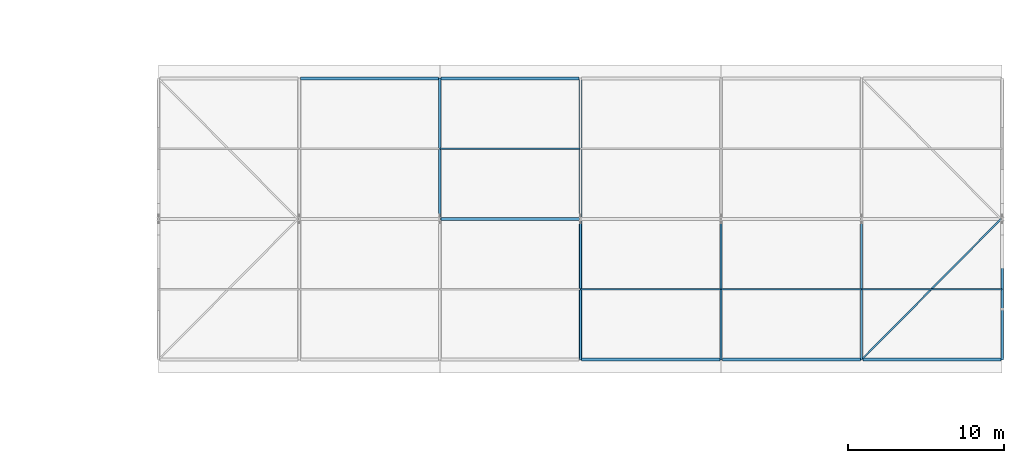
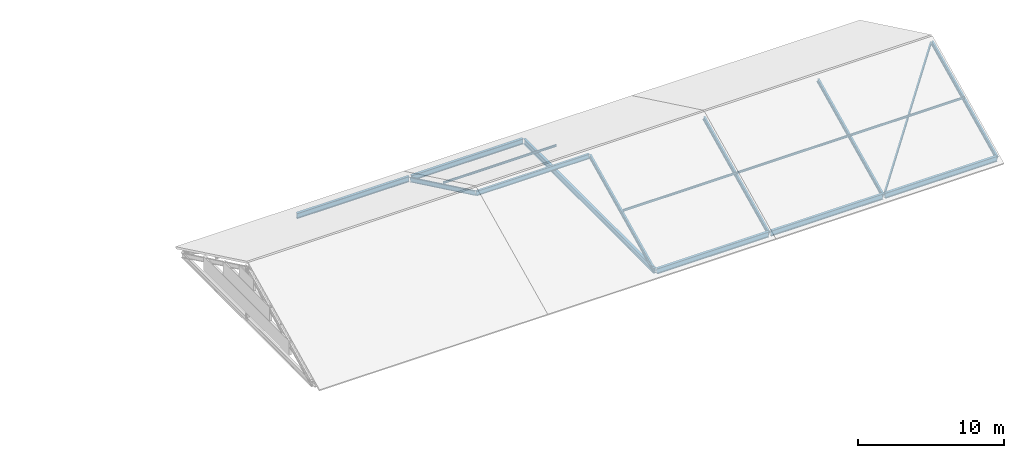
# One storey, part 12 of 25: 11 members, 6 beams.
"""IFC4 building model written with IfcOpenShell, lengths in metres."""

import ifcopenshell
import ifcopenshell.guid

model = None  # the IFC model being written
_history = None  # IfcOwnerHistory: only IFC2X3 demands one
_inside = {}  # id of a spatial element -> (the spatial element, [elements in it])
_under = {}  # id of a project, library or spatial element -> (it, [spatial elements below it])
_declared = {}  # id of a project -> (the project, [libraries it declares])
_typed = {}  # id of a type object -> (the type object, [elements of that type])
_made_of = {}  # id of a material, layer set ... -> (it, [elements and type objects made of it])


def new_model(schema):
    """Start an empty IFC model of exactly this schema.

    Asked for "IFC4X3", IfcOpenShell would pick the latest addendum, in which some entities
    have other attributes; the version numbers below select the first issue.
    IFC2X3 requires an IfcOwnerHistory on every rooted entity: one is made here for all.
    """
    global model, _history
    if schema == "IFC4X3":
        model = ifcopenshell.file(schema_version=(4, 3, 0, 0))
    else:
        model = ifcopenshell.file(schema=schema)
    _inside.clear()
    _under.clear()
    _declared.clear()
    _typed.clear()
    _made_of.clear()
    _history = None
    if model.schema == "IFC2X3":
        org = make("IfcOrganization", Name="unknown")
        user = make(
            "IfcPersonAndOrganization",
            ThePerson=make("IfcPerson", FamilyName="unknown"),
            TheOrganization=org,
        )
        app = make(
            "IfcApplication",
            ApplicationDeveloper=org,
            Version="unknown",
            ApplicationFullName="unknown",
            ApplicationIdentifier="unknown",
        )
        _history = make(
            "IfcOwnerHistory",
            OwningUser=user,
            OwningApplication=app,
            ChangeAction="ADDED",
            CreationDate=0,
        )
    return model


def make(cls, **values):
    """One entity of the class cls with the attributes given. An attribute that is None is left unset."""
    return model.create_entity(
        cls, **{name: value for name, value in values.items() if value is not None}
    )


def rooted(cls, **values):
    """An entity with a GlobalId (a new one), such as an element, a storey or a relation."""
    return make(cls, GlobalId=ifcopenshell.guid.new(), OwnerHistory=_history, **values)


def si_unit(unit_type, name, prefix=None):
    """IfcSIUnit, for example si_unit("LENGTHUNIT", "METRE", prefix="MILLI")."""
    return make("IfcSIUnit", UnitType=unit_type, Prefix=prefix, Name=name)


def assignment(units):
    """IfcUnitAssignment: the units of a project."""
    return None if units is None else make("IfcUnitAssignment", Units=units)


def point(xyz):
    """IfcCartesianPoint."""
    return None if xyz is None else make("IfcCartesianPoint", Coordinates=xyz)


def direction(xyz):
    """IfcDirection."""
    return None if xyz is None else make("IfcDirection", DirectionRatios=xyz)


def frame(location, z_axis=None, x_axis=None):
    """IfcAxis2Placement3D, a coordinate frame: its origin and axes. An axis left out is left unset."""
    return make(
        "IfcAxis2Placement3D",
        Location=point(location),
        Axis=direction(z_axis),
        RefDirection=direction(x_axis),
    )


def frame_2d(location, x_axis=None):
    """IfcAxis2Placement2D, a coordinate frame in the plane: its origin and x axis."""
    return make(
        "IfcAxis2Placement2D", Location=point(location), RefDirection=direction(x_axis)
    )


def origin():
    """The frame at (0, 0, 0) with its axes left unset."""
    return frame((0.0, 0.0, 0.0))


def origin_2d():
    """The frame at (0, 0) in the plane with its x axis left unset."""
    return frame_2d((0.0, 0.0))


def place(relative_to, where):
    """IfcLocalPlacement: puts the frame where relative to a parent placement (None: the world)."""
    return make(
        "IfcLocalPlacement", PlacementRelTo=relative_to, RelativePlacement=where
    )


def context(
    kind, dimensions, precision=None, world=None, true_north=None, identifier=None
):
    """IfcGeometricRepresentationContext, for example the 3D "Model" context."""
    return make(
        "IfcGeometricRepresentationContext",
        ContextIdentifier=identifier,
        ContextType=kind,
        CoordinateSpaceDimension=dimensions,
        Precision=precision,
        WorldCoordinateSystem=world,
        TrueNorth=true_north,
    )


def subcontext(parent, identifier, kind, view, scale=None):
    """IfcGeometricRepresentationSubContext, for example "Body" below "Model"."""
    return make(
        "IfcGeometricRepresentationSubContext",
        ContextIdentifier=identifier,
        ContextType=kind,
        ParentContext=parent,
        TargetScale=scale,
        TargetView=view,
    )


def project(units=None, contexts=None):
    """IfcProject with its units and contexts."""
    return rooted(
        "IfcProject",
        Name="project",
        RepresentationContexts=contexts,
        UnitsInContext=assignment(units),
    )


def spatial(cls, under=None, at=None, **own):
    """A site, building, storey or space (cls), placed at a placement, below another one or the project."""
    s = rooted(cls, ObjectPlacement=at, **own)
    if under is not None:
        _under.setdefault(under.id(), (under, []))[1].append(s)
    return s


def profile(cls, at=None, kind="AREA", **sizes):
    """A parametric profile (cls). Its sizes go by their IFC names, for example OverallWidth=200.0."""
    return make(cls, ProfileType=kind, Position=at, **sizes)


def i_section(**sizes):
    """IfcIShapeProfileDef."""
    return profile("IfcIShapeProfileDef", **sizes)


def extrude(swept, where, along, depth):
    """IfcExtrudedAreaSolid: the profile swept, set in the frame where, extruded along a direction by depth."""
    return make(
        "IfcExtrudedAreaSolid",
        SweptArea=swept,
        Position=where,
        ExtrudedDirection=direction(along),
        Depth=depth,
    )


def shape(context_of_items, identifier, shape_type, items):
    """IfcShapeRepresentation: the items that make up one representation, for example the "Body"."""
    return make(
        "IfcShapeRepresentation",
        ContextOfItems=context_of_items,
        RepresentationIdentifier=identifier,
        RepresentationType=shape_type,
        Items=items,
    )


def material(Name=None, Category=None):
    """IfcMaterial."""
    return make("IfcMaterial", Name=Name, Category=Category)


def material_profile(
    of_material, cross_section, Name=None, Category=None, Priority=None
):
    """IfcMaterialProfile: a cross section and its material."""
    return make(
        "IfcMaterialProfile",
        Name=Name,
        Material=of_material,
        Profile=cross_section,
        Priority=Priority,
        Category=Category,
    )


def profile_set(profiles, Name=None, composite=None):
    """IfcMaterialProfileSet."""
    return make(
        "IfcMaterialProfileSet",
        Name=Name,
        MaterialProfiles=profiles,
        CompositeProfile=composite,
    )


def made_of(thing, what):
    """Note that an element or type object is made of a material, layer set ...; save() writes the relation."""
    if what is not None:
        _made_of.setdefault(what.id(), (what, []))[1].append(thing)
    return thing


def type_object(cls, material=None, **own):
    """A type object (cls), such as IfcWallType, which elements share."""
    return made_of(rooted(cls, **own), material)


def element(
    cls,
    number,
    at=None,
    inside=None,
    cuts=None,
    type_object=None,
    material=None,
    context=None,
    identifier="Body",
    shape_type=None,
    held_by="IfcProductDefinitionShape",
    body=None,
    shapes=None,
    **own,
):
    """One element of the class cls, such as IfcWall. Its Tag is "e" and its number.

    at: its placement. inside: the storey or other place that contains it. cuts: it is an
    opening in that element (IfcRelVoidsElement). A single representation is given by context,
    identifier, shape_type and body (its items); several are given by shapes. held_by: the class
    of the entity that holds the representations. save() writes the other relations.
    """
    e = rooted(cls, Tag="e%d" % number, ObjectPlacement=at, **own)
    if body is not None:
        shapes = [shape(context, identifier, shape_type, body)]
    if shapes is not None:
        e.Representation = make(held_by, Representations=shapes)
    if inside is not None:
        _inside.setdefault(inside.id(), (inside, []))[1].append(e)
    if cuts is not None:
        rooted(
            "IfcRelVoidsElement", RelatingBuildingElement=cuts, RelatedOpeningElement=e
        )
    if type_object is not None:
        _typed.setdefault(type_object.id(), (type_object, []))[1].append(e)
    return made_of(e, material)


def aggregate(whole, parts):
    """IfcRelAggregates: a whole, such as a stair, and the parts it consists of."""
    return rooted("IfcRelAggregates", RelatingObject=whole, RelatedObjects=parts)


def save(model, path):
    """Write the relations noted so far, then the file.

    IfcRelAggregates (storeys below a building ...), IfcRelContainedInSpatialStructure (elements
    in a storey), IfcRelDefinesByType, IfcRelAssociatesMaterial and IfcRelDeclares: one each for
    every whole, place, type object, material and project.
    """
    for whole, parts in _under.values():
        aggregate(whole, parts)
    for where, things in _inside.values():
        rooted(
            "IfcRelContainedInSpatialStructure",
            RelatedElements=things,
            RelatingStructure=where,
        )
    for kind, things in _typed.values():
        rooted("IfcRelDefinesByType", RelatedObjects=things, RelatingType=kind)
    for what, things in _made_of.values():
        rooted("IfcRelAssociatesMaterial", RelatedObjects=things, RelatingMaterial=what)
    for by, libraries in _declared.values():
        rooted("IfcRelDeclares", RelatingContext=by, RelatedDefinitions=libraries)
    model.write(path)


model = new_model("IFC4")

# Units and contexts
model_context = context("Model", 3, precision=1e-05, world=origin(), true_north=direction((0.0, 1.0)))
body_context = subcontext(model_context, "Body", "Model", "MODEL_VIEW")
ifc_project = project(units=[si_unit("LENGTHUNIT", "METRE"), si_unit("AREAUNIT", "SQUARE_METRE"), si_unit("VOLUMEUNIT", "CUBIC_METRE"), si_unit("PLANEANGLEUNIT", "RADIAN"), si_unit("MASSUNIT", "GRAM", prefix="KILO")], contexts=[model_context])

# Site, building, storey
site_placement = place(None, origin())
site = spatial("IfcSite", under=ifc_project, at=site_placement, CompositionType="ELEMENT")
building_placement = place(site_placement, origin())
building = spatial("IfcBuilding", under=site, at=building_placement, Name="Tharagai Park Tramway Depot", CompositionType="ELEMENT")
storey_placement = place(building_placement, frame((0.0, 0.0, 12.0)))
storey = spatial("IfcBuildingStorey", under=building, at=storey_placement, Name="L03", CompositionType="ELEMENT", Elevation=12.0)

# Beams
ifc_material_1 = material(Name="Steel E350", Category="steel")
ifc_material_profile_1 = material_profile(ifc_material_1, i_section(OverallWidth=0.199951171875, OverallDepth=0.449951171875, WebThickness=0.00927734375, FlangeThickness=0.015380859375, FilletRadius=0.014892578125, at=origin_2d()), Name="ISWB 450")
ifc_profile_set_1 = profile_set([ifc_material_profile_1], Name="Steel E350")
beam_type = type_object("IfcBeamType", Name="BM-17", PredefinedType="BEAM", material=ifc_profile_set_1)
for number, where, z_axis, x_axis, name in (
    (1, (144.080078125, 27.0, -0.47509765625), (1.0, 0.0, 0.0), (0.0, 1.0, 0.0), "V5 Roof Eave Girder BM-17"),
    (2, (153.080078125, 27.0, -0.47509765625), (1.0, 0.0, 0.0), (0.0, 1.0, 0.0), "V5 Roof Eave Girder BM-17"),
    (3, (162.080078125, 9.0, -0.47509765625), (1.0, 0.0, 0.0), (0.0, 1.0, 0.0), "V5 Roof Eave Girder BM-17"),
    (4, (171.080078125, 9.0, -0.47509765625), (1.0, 0.0, 0.0), (0.0, 1.0, 0.0), "V5 Roof Eave Girder BM-17"),
    (5, (180.080078125, 9.0, -0.47509765625), (1.0, 0.0, 0.0), (0.0, 1.0, 0.0), "V5 Roof Eave Girder BM-17"),
):
    element("IfcBeam", number, at=place(storey_placement, frame(where, z_axis=z_axis, x_axis=x_axis)), inside=storey, type_object=beam_type, Name=name, PredefinedType="BEAM", context=body_context, shape_type="SweptSolid", body=[
        extrude(i_section(OverallWidth=0.199951171875, OverallDepth=0.449951171875, WebThickness=0.00927734375, FlangeThickness=0.015380859375, FilletRadius=0.014892578125, at=origin_2d()), origin(), (0.0, 0.0, 1.0), 8.83984375),
    ])
beam_placement = place(storey_placement, frame((162.0, 9.080078125, -0.47509765625), z_axis=(0.0, 1.0, 0.0), x_axis=(-1.0, 0.0, 0.0)))
element("IfcBeam", 6, at=beam_placement, inside=storey, type_object=beam_type, Name="V5 Gable Tie Girder BM-17", PredefinedType="BEAM", context=body_context, shape_type="SweptSolid", body=[
    extrude(i_section(OverallWidth=0.199951171875, OverallDepth=0.449951171875, WebThickness=0.00927734375, FlangeThickness=0.015380859375, FilletRadius=0.014892578125, at=origin_2d()), origin(), (0.0, 0.0, 1.0), 17.83984375),
])

# Members
ifc_material_profile_2 = material_profile(ifc_material_1, i_section(OverallWidth=0.110107421875, OverallDepth=0.22509765625, WebThickness=0.006591796875, FlangeThickness=0.01171875, FilletRadius=0.011962890625, at=origin_2d()), Name="ISMB 225")
ifc_profile_set_2 = profile_set([ifc_material_profile_2], Name="Steel E350")
member_type_1 = type_object("IfcMemberType", Name="BR-04", PredefinedType="BRACE", material=ifc_profile_set_2)
member_1_placement = place(storey_placement, frame((180.080078125, 9.080078125, -0.47509765625), z_axis=(0.667812653519, 0.67386221578, 0.316126515724), x_axis=(-0.710287879152, 0.703911307432, 0.0)))
element("IfcMember", 7, at=member_1_placement, inside=storey, type_object=member_type_1, Name="V5 Roof Wind Brace BR-04", PredefinedType="BRACE", context=body_context, shape_type="SweptSolid", body=[
    extrude(i_section(OverallWidth=0.110107421875, OverallDepth=0.22509765625, WebThickness=0.006591796875, FlangeThickness=0.01171875, FilletRadius=0.011962890625, at=origin_2d()), origin(), (0.0, 0.0, 1.0), 13.237060546875),
])
ifc_material_2 = material(Name="Steel E250", Category="steel")
ifc_material_profile_3 = material_profile(ifc_material_2, i_section(OverallWidth=0.090087890625, OverallDepth=0.175048828125, WebThickness=0.005615234375, FlangeThickness=0.009033203125, FilletRadius=0.010009765625, at=origin_2d()), Name="ISMB 175")
ifc_profile_set_3 = profile_set([ifc_material_profile_3], Name="Steel E250")
member_type_2 = type_object("IfcMemberType", Name="PR-01", PredefinedType="PURLIN", material=ifc_profile_set_3)
for number, where, z_axis, x_axis, name in (
    (8, (153.02001953125, 22.5, 1.85546875), (1.0, 0.0, 0.0), (0.0, 1.0, 0.0), "V5 Roof Purlin PR-01"),
    (9, (162.02001953125, 13.5, 1.85546875), (1.0, 0.0, 0.0), (0.0, 1.0, 0.0), "V5 Roof Purlin PR-01"),
    (10, (171.02001953125, 13.5, 1.85546875), (1.0, 0.0, 0.0), (0.0, 1.0, 0.0), "V5 Roof Purlin PR-01"),
    (11, (180.02001953125, 13.5, 1.85546875), (1.0, 0.0, 0.0), (0.0, 1.0, 0.0), "V5 Roof Purlin PR-01"),
):
    element("IfcMember", number, at=place(storey_placement, frame(where, z_axis=z_axis, x_axis=x_axis)), inside=storey, type_object=member_type_2, Name=name, PredefinedType="PURLIN", context=body_context, shape_type="SweptSolid", body=[
        extrude(i_section(OverallWidth=0.090087890625, OverallDepth=0.175048828125, WebThickness=0.005615234375, FlangeThickness=0.009033203125, FilletRadius=0.010009765625, at=origin_2d()), origin(), (0.0, 0.0, 1.0), 8.9599609375),
    ])
ifc_material_profile_4 = material_profile(ifc_material_1, i_section(OverallWidth=0.139892578125, OverallDepth=0.35009765625, WebThickness=0.008056640625, FlangeThickness=0.01416015625, FilletRadius=0.013916015625, at=origin_2d()), Name="ISMB 350")
ifc_profile_set_4 = profile_set([ifc_material_profile_4], Name="Steel E350")
member_type_3 = type_object("IfcMemberType", Name="RF-01", PredefinedType="RAFTER", material=ifc_profile_set_4)
for number, where, z_axis, x_axis, name in (
    (12, (153.0, 18.0, 3.734375), (0.0, 0.901650825815, -0.432464782736), (-1.0, 0.0, 0.0), "V5 Pitched Rafter RF-01 North"),
    (13, (162.0, 9.050048828125, -0.558349609375), (0.0, 0.901650825815, 0.432464782736), (-1.0, 0.0, 0.0), "V5 Pitched Rafter RF-01 South"),
    (14, (171.0, 9.050048828125, -0.558349609375), (0.0, 0.901650825815, 0.432464782736), (-1.0, 0.0, 0.0), "V5 Pitched Rafter RF-01 South"),
    (15, (180.0, 9.050048828125, -0.558349609375), (0.0, 0.901650825815, 0.432464782736), (-1.0, 0.0, 0.0), "V5 Pitched Rafter RF-01 South"),
    (16, (189.0, 9.050048828125, -0.558349609375), (0.0, 0.901650825815, 0.432464782736), (-1.0, 0.0, 0.0), "V5 Pitched Rafter RF-01 South"),
):
    element("IfcMember", number, at=place(storey_placement, frame(where, z_axis=z_axis, x_axis=x_axis)), inside=storey, type_object=member_type_3, Name=name, PredefinedType="RAFTER", context=body_context, shape_type="SweptSolid", body=[
        extrude(i_section(OverallWidth=0.139892578125, OverallDepth=0.35009765625, WebThickness=0.008056640625, FlangeThickness=0.01416015625, FilletRadius=0.013916015625, at=origin_2d()), origin(), (0.0, 0.0, 1.0), 9.92626953125),
    ])
ifc_material_profile_5 = material_profile(ifc_material_1, i_section(OverallWidth=0.1650390625, OverallDepth=0.39990234375, WebThickness=0.008056640625, FlangeThickness=0.012451171875, FilletRadius=0.013916015625, at=origin_2d()), Name="ISLB 400")
ifc_profile_set_5 = profile_set([ifc_material_profile_5], Name="Steel E350")
member_type_4 = type_object("IfcMemberType", Name="TC-04", PredefinedType="CHORD", material=ifc_profile_set_5)
member_2_placement = place(storey_placement, frame((153.0400390625, 18.0, 3.70947265625), z_axis=(1.0, 0.0, 0.0), x_axis=(0.0, 1.0, 0.0)))
element("IfcMember", 17, at=member_2_placement, inside=storey, type_object=member_type_4, Name="V5 Roof Ridge Chord TC-04", PredefinedType="CHORD", context=body_context, shape_type="SweptSolid", body=[
    extrude(i_section(OverallWidth=0.1650390625, OverallDepth=0.39990234375, WebThickness=0.008056640625, FlangeThickness=0.012451171875, FilletRadius=0.013916015625, at=origin_2d()), origin(), (0.0, 0.0, 1.0), 8.919921875),
])

save(model, "model.ifc")
